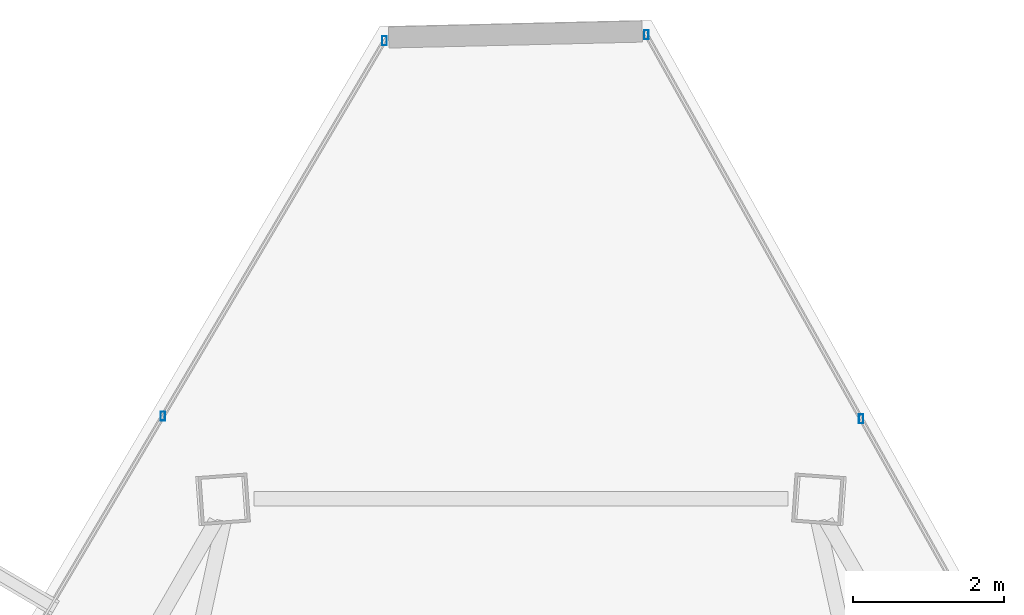
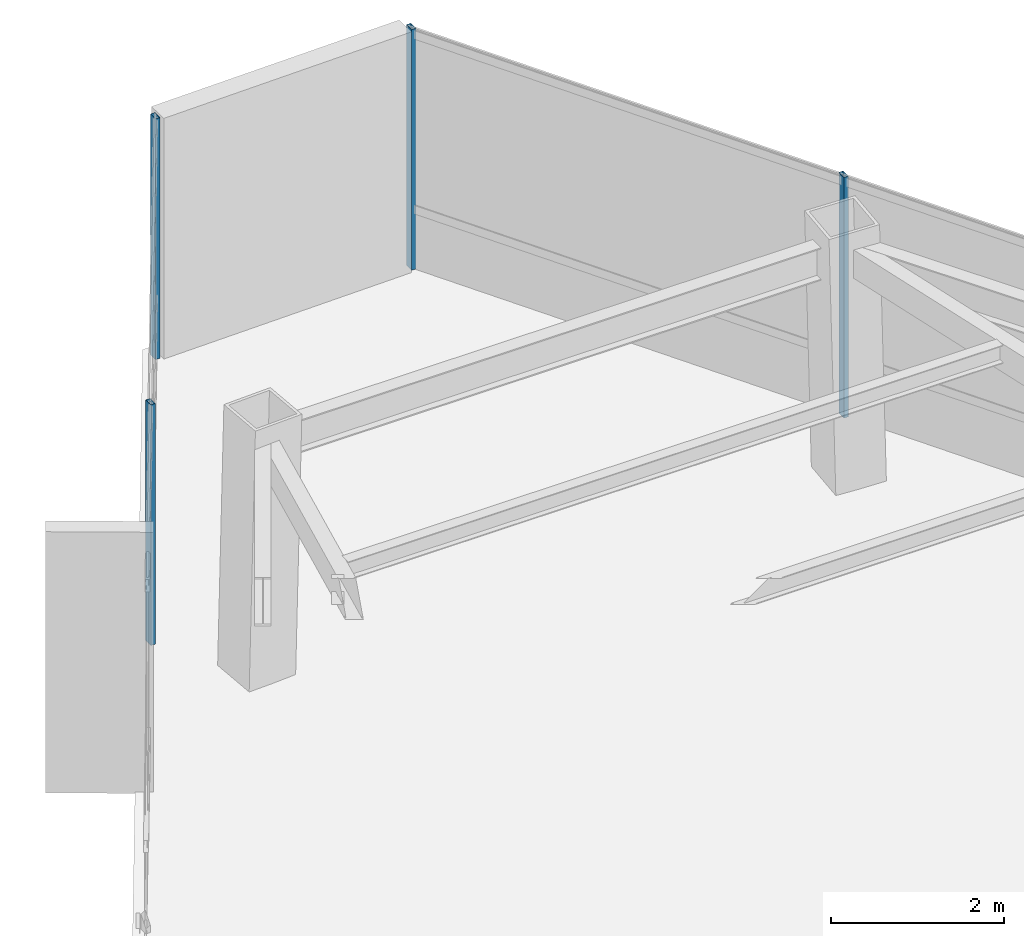
# One storey, part 34 of 46: 4 members, 2 elements without a shape of their own.
"""IFC4 building model written with IfcOpenShell, lengths in metres."""

from ifc_helpers import new_model, si_unit, direction, frame, origin, origin_2d, place, context, subcontext, project, spatial, hollow_rectangle, extrude, source, transform, mapped, material, material_profile, profile_set, type_object, type_shapes, element, aggregate, save


model = new_model("IFC4")

# Units and contexts
model_context = context("Model", 3, precision=1e-05, world=origin(), true_north=direction((0.0, 1.0)))
body_context = subcontext(model_context, "Body", "Model", "MODEL_VIEW")
ifc_project = project(units=[si_unit("LENGTHUNIT", "METRE"), si_unit("AREAUNIT", "SQUARE_METRE"), si_unit("VOLUMEUNIT", "CUBIC_METRE"), si_unit("PLANEANGLEUNIT", "RADIAN"), si_unit("MASSUNIT", "GRAM", prefix="KILO")], contexts=[model_context])

# Site, building, storey
site_placement = place(None, origin())
site = spatial("IfcSite", under=ifc_project, at=site_placement, CompositionType="ELEMENT")
building_placement = place(site_placement, origin())
building = spatial("IfcBuilding", under=site, at=building_placement, Name="Caelisora Broadcast Tower", CompositionType="ELEMENT")
storey_placement = place(building_placement, frame((0.0, 0.0, 251.75)))
storey = spatial("IfcBuildingStorey", under=building, at=storey_placement, Name="L66", CompositionType="ELEMENT", Elevation=251.75)

# Curtain wall, members
ifc_material_1 = material(Name="Unitised Aluminium and Low-E Glass Curtain Wall", Category="glass")
curtain_wall_type = type_object("IfcCurtainWallType", Name="CW-Z5", PredefinedType="NOTDEFINED", material=ifc_material_1)
curtain_wall_1_placement = place(storey_placement, origin())
curtain_wall_1 = element("IfcCurtainWall", 1, at=curtain_wall_1_placement, inside=storey, type_object=curtain_wall_type, Name="L66 curtain wall CW-Z5", PredefinedType="NOTDEFINED")
ifc_material_2 = material(Name="Aluminium 6063-T6 Anodised Terracotta Bronze", Category="aluminium")
ifc_material_profile = material_profile(ifc_material_2, hollow_rectangle(XDim=0.06005859375, YDim=0.1201171875, WallThickness=0.0029296875, at=origin_2d()), Name="Aluminium 6063-T6 Anodised Terracotta Bronze")
ifc_profile_set = profile_set([ifc_material_profile], Name="Aluminium 6063-T6 Anodised Terracotta Bronze")
member_type = type_object("IfcMemberType", Name="CWM-04", PredefinedType="MULLION", material=ifc_profile_set)
shared_shape = source(origin(), body_context, "Body", "SweptSolid", [
    extrude(hollow_rectangle(XDim=0.06005859375, YDim=0.1201171875, WallThickness=0.0029296875, at=origin_2d()), origin(), (0.0, 0.0, 1.0), 3.39990234375),
])
type_shapes(member_type, [shared_shape])
member_1_placement = place(storey_placement, frame((39.659423828125, 52.8154296875, 0.0), z_axis=(0.0, 0.0, 1.0), x_axis=(1.0, 0.0, 0.0)))
member_1 = element("IfcMember", 2, at=member_1_placement, type_object=member_type, Name="L66-CW-B01 mullion #0", PredefinedType="MULLION", context=body_context, shape_type="MappedRepresentation", body=[
    mapped(shared_shape, transform((0.0, 0.0, 0.0), scale=1.0)),
])
member_2_placement = place(storey_placement, frame((42.501953125, 47.731201171875, 0.0), z_axis=(0.0, 0.0, 1.0), x_axis=(1.0, 0.0, 0.0)))
member_2 = element("IfcMember", 3, at=member_2_placement, type_object=member_type, Name="L66-CW-B01 mullion #1", PredefinedType="MULLION", context=body_context, shape_type="MappedRepresentation", body=[
    mapped(shared_shape, transform((0.0, 0.0, 0.0), scale=1.0)),
])
aggregate(curtain_wall_1, [member_1, member_2])

curtain_wall_2_placement = place(storey_placement, origin())
curtain_wall_2 = element("IfcCurtainWall", 4, at=curtain_wall_2_placement, inside=storey, type_object=curtain_wall_type, Name="L66 curtain wall CW-Z5", PredefinedType="NOTDEFINED")
member_3_placement = place(storey_placement, frame((33.260498046875, 47.768310546875, 0.0), z_axis=(0.0, 0.0, 1.0), x_axis=(1.0, 0.0, 0.0)))
member_3 = element("IfcMember", 5, at=member_3_placement, type_object=member_type, Name="L66-CW-B11 mullion #2", PredefinedType="MULLION", context=body_context, shape_type="MappedRepresentation", body=[
    mapped(shared_shape, transform((0.0, 0.0, 0.0), scale=1.0)),
])
member_4_placement = place(storey_placement, frame((36.193603515625, 52.73583984375, 0.0), z_axis=(0.0, 0.0, 1.0), x_axis=(1.0, 0.0, 0.0)))
member_4 = element("IfcMember", 6, at=member_4_placement, type_object=member_type, Name="L66-CW-B11 mullion #3", PredefinedType="MULLION", context=body_context, shape_type="MappedRepresentation", body=[
    mapped(shared_shape, transform((0.0, 0.0, 0.0), scale=1.0)),
])
aggregate(curtain_wall_2, [member_3, member_4])

save(model, "model.ifc")
